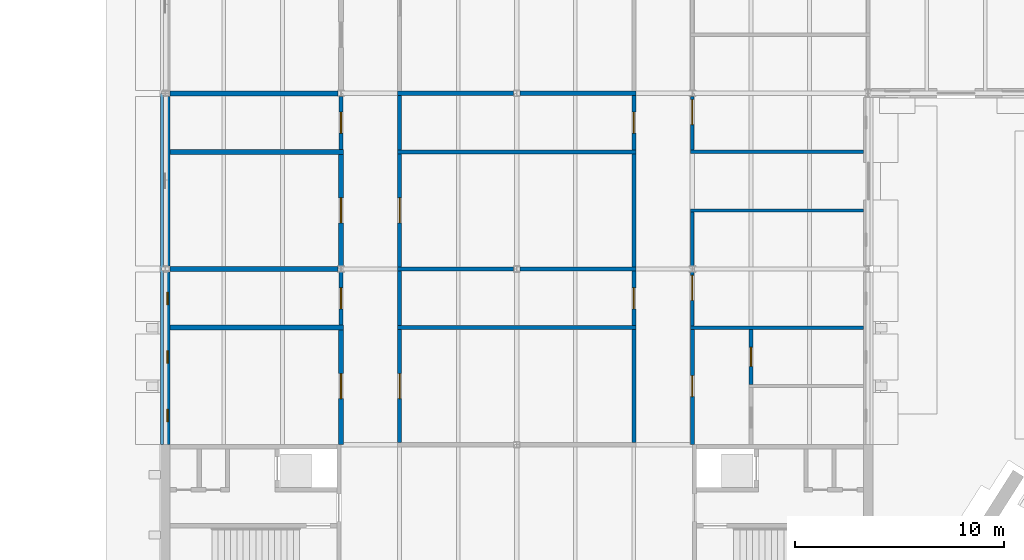
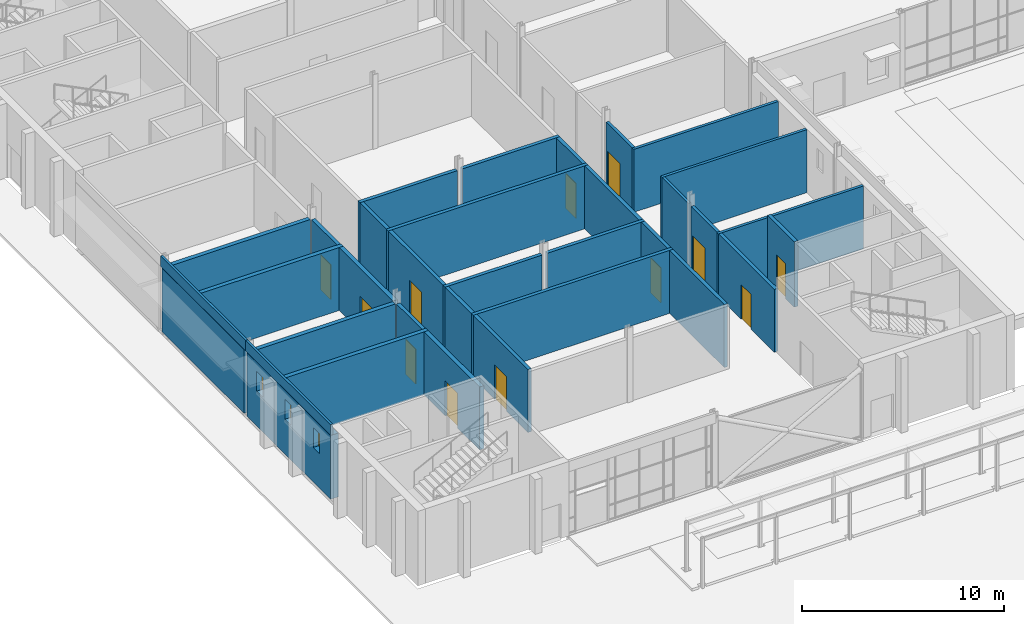
# One storey, part 84 of 116: 34 walls, 12 doors, 3 windows, 15 openings.
"""IFC4 building model written with IfcOpenShell, lengths in metres."""

import ifcopenshell
import ifcopenshell.guid

model = None  # the IFC model being written
_history = None  # IfcOwnerHistory: only IFC2X3 demands one
_inside = {}  # id of a spatial element -> (the spatial element, [elements in it])
_under = {}  # id of a project, library or spatial element -> (it, [spatial elements below it])
_declared = {}  # id of a project -> (the project, [libraries it declares])
_typed = {}  # id of a type object -> (the type object, [elements of that type])
_made_of = {}  # id of a material, layer set ... -> (it, [elements and type objects made of it])


def new_model(schema):
    """Start an empty IFC model of exactly this schema.

    Asked for "IFC4X3", IfcOpenShell would pick the latest addendum, in which some entities
    have other attributes; the version numbers below select the first issue.
    IFC2X3 requires an IfcOwnerHistory on every rooted entity: one is made here for all.
    """
    global model, _history
    if schema == "IFC4X3":
        model = ifcopenshell.file(schema_version=(4, 3, 0, 0))
    else:
        model = ifcopenshell.file(schema=schema)
    _inside.clear()
    _under.clear()
    _declared.clear()
    _typed.clear()
    _made_of.clear()
    _history = None
    if model.schema == "IFC2X3":
        org = make("IfcOrganization", Name="unknown")
        user = make(
            "IfcPersonAndOrganization",
            ThePerson=make("IfcPerson", FamilyName="unknown"),
            TheOrganization=org,
        )
        app = make(
            "IfcApplication",
            ApplicationDeveloper=org,
            Version="unknown",
            ApplicationFullName="unknown",
            ApplicationIdentifier="unknown",
        )
        _history = make(
            "IfcOwnerHistory",
            OwningUser=user,
            OwningApplication=app,
            ChangeAction="ADDED",
            CreationDate=0,
        )
    return model


def make(cls, **values):
    """One entity of the class cls with the attributes given. An attribute that is None is left unset."""
    return model.create_entity(
        cls, **{name: value for name, value in values.items() if value is not None}
    )


def rooted(cls, **values):
    """An entity with a GlobalId (a new one), such as an element, a storey or a relation."""
    return make(cls, GlobalId=ifcopenshell.guid.new(), OwnerHistory=_history, **values)


def si_unit(unit_type, name, prefix=None):
    """IfcSIUnit, for example si_unit("LENGTHUNIT", "METRE", prefix="MILLI")."""
    return make("IfcSIUnit", UnitType=unit_type, Prefix=prefix, Name=name)


def assignment(units):
    """IfcUnitAssignment: the units of a project."""
    return None if units is None else make("IfcUnitAssignment", Units=units)


def point(xyz):
    """IfcCartesianPoint."""
    return None if xyz is None else make("IfcCartesianPoint", Coordinates=xyz)


def direction(xyz):
    """IfcDirection."""
    return None if xyz is None else make("IfcDirection", DirectionRatios=xyz)


def frame(location, z_axis=None, x_axis=None):
    """IfcAxis2Placement3D, a coordinate frame: its origin and axes. An axis left out is left unset."""
    return make(
        "IfcAxis2Placement3D",
        Location=point(location),
        Axis=direction(z_axis),
        RefDirection=direction(x_axis),
    )


def frame_2d(location, x_axis=None):
    """IfcAxis2Placement2D, a coordinate frame in the plane: its origin and x axis."""
    return make(
        "IfcAxis2Placement2D", Location=point(location), RefDirection=direction(x_axis)
    )


def origin():
    """The frame at (0, 0, 0) with its axes left unset."""
    return frame((0.0, 0.0, 0.0))


def place(relative_to, where):
    """IfcLocalPlacement: puts the frame where relative to a parent placement (None: the world)."""
    return make(
        "IfcLocalPlacement", PlacementRelTo=relative_to, RelativePlacement=where
    )


def context(
    kind, dimensions, precision=None, world=None, true_north=None, identifier=None
):
    """IfcGeometricRepresentationContext, for example the 3D "Model" context."""
    return make(
        "IfcGeometricRepresentationContext",
        ContextIdentifier=identifier,
        ContextType=kind,
        CoordinateSpaceDimension=dimensions,
        Precision=precision,
        WorldCoordinateSystem=world,
        TrueNorth=true_north,
    )


def subcontext(parent, identifier, kind, view, scale=None):
    """IfcGeometricRepresentationSubContext, for example "Body" below "Model"."""
    return make(
        "IfcGeometricRepresentationSubContext",
        ContextIdentifier=identifier,
        ContextType=kind,
        ParentContext=parent,
        TargetScale=scale,
        TargetView=view,
    )


def project(units=None, contexts=None):
    """IfcProject with its units and contexts."""
    return rooted(
        "IfcProject",
        Name="project",
        RepresentationContexts=contexts,
        UnitsInContext=assignment(units),
    )


def spatial(cls, under=None, at=None, **own):
    """A site, building, storey or space (cls), placed at a placement, below another one or the project."""
    s = rooted(cls, ObjectPlacement=at, **own)
    if under is not None:
        _under.setdefault(under.id(), (under, []))[1].append(s)
    return s


def profile(cls, at=None, kind="AREA", **sizes):
    """A parametric profile (cls). Its sizes go by their IFC names, for example OverallWidth=200.0."""
    return make(cls, ProfileType=kind, Position=at, **sizes)


def rectangle(**sizes):
    """IfcRectangleProfileDef."""
    return profile("IfcRectangleProfileDef", **sizes)


def extrude(swept, where, along, depth):
    """IfcExtrudedAreaSolid: the profile swept, set in the frame where, extruded along a direction by depth."""
    return make(
        "IfcExtrudedAreaSolid",
        SweptArea=swept,
        Position=where,
        ExtrudedDirection=direction(along),
        Depth=depth,
    )


def shape(context_of_items, identifier, shape_type, items):
    """IfcShapeRepresentation: the items that make up one representation, for example the "Body"."""
    return make(
        "IfcShapeRepresentation",
        ContextOfItems=context_of_items,
        RepresentationIdentifier=identifier,
        RepresentationType=shape_type,
        Items=items,
    )


def material(Name=None, Category=None):
    """IfcMaterial."""
    return make("IfcMaterial", Name=Name, Category=Category)


def layer(
    of_material, thickness, ventilated=None, Name=None, Category=None, Priority=None
):
    """IfcMaterialLayer: one layer of a wall or slab, of a material (None: an air gap)."""
    return make(
        "IfcMaterialLayer",
        Material=of_material,
        LayerThickness=thickness,
        IsVentilated=ventilated,
        Name=Name,
        Category=Category,
        Priority=Priority,
    )


def layer_set(layers, Name=None):
    """IfcMaterialLayerSet."""
    return make("IfcMaterialLayerSet", MaterialLayers=layers, LayerSetName=Name)


def made_of(thing, what):
    """Note that an element or type object is made of a material, layer set ...; save() writes the relation."""
    if what is not None:
        _made_of.setdefault(what.id(), (what, []))[1].append(thing)
    return thing


def type_object(cls, material=None, **own):
    """A type object (cls), such as IfcWallType, which elements share."""
    return made_of(rooted(cls, **own), material)


def element(
    cls,
    number,
    at=None,
    inside=None,
    cuts=None,
    type_object=None,
    material=None,
    context=None,
    identifier="Body",
    shape_type=None,
    held_by="IfcProductDefinitionShape",
    body=None,
    shapes=None,
    **own,
):
    """One element of the class cls, such as IfcWall. Its Tag is "e" and its number.

    at: its placement. inside: the storey or other place that contains it. cuts: it is an
    opening in that element (IfcRelVoidsElement). A single representation is given by context,
    identifier, shape_type and body (its items); several are given by shapes. held_by: the class
    of the entity that holds the representations. save() writes the other relations.
    """
    e = rooted(cls, Tag="e%d" % number, ObjectPlacement=at, **own)
    if body is not None:
        shapes = [shape(context, identifier, shape_type, body)]
    if shapes is not None:
        e.Representation = make(held_by, Representations=shapes)
    if inside is not None:
        _inside.setdefault(inside.id(), (inside, []))[1].append(e)
    if cuts is not None:
        rooted(
            "IfcRelVoidsElement", RelatingBuildingElement=cuts, RelatedOpeningElement=e
        )
    if type_object is not None:
        _typed.setdefault(type_object.id(), (type_object, []))[1].append(e)
    return made_of(e, material)


def fill(opening, filler):
    """IfcRelFillsElement: the door or window that sits in an opening."""
    return rooted(
        "IfcRelFillsElement",
        RelatingOpeningElement=opening,
        RelatedBuildingElement=filler,
    )


def aggregate(whole, parts):
    """IfcRelAggregates: a whole, such as a stair, and the parts it consists of."""
    return rooted("IfcRelAggregates", RelatingObject=whole, RelatedObjects=parts)


def save(model, path):
    """Write the relations noted so far, then the file.

    IfcRelAggregates (storeys below a building ...), IfcRelContainedInSpatialStructure (elements
    in a storey), IfcRelDefinesByType, IfcRelAssociatesMaterial and IfcRelDeclares: one each for
    every whole, place, type object, material and project.
    """
    for whole, parts in _under.values():
        aggregate(whole, parts)
    for where, things in _inside.values():
        rooted(
            "IfcRelContainedInSpatialStructure",
            RelatedElements=things,
            RelatingStructure=where,
        )
    for kind, things in _typed.values():
        rooted("IfcRelDefinesByType", RelatedObjects=things, RelatingType=kind)
    for what, things in _made_of.values():
        rooted("IfcRelAssociatesMaterial", RelatedObjects=things, RelatingMaterial=what)
    for by, libraries in _declared.values():
        rooted("IfcRelDeclares", RelatingContext=by, RelatedDefinitions=libraries)
    model.write(path)


model = new_model("IFC4")

# Units and contexts
model_context = context("Model", 3, precision=1e-05, world=origin(), true_north=direction((0.0, 1.0)))
body_context = subcontext(model_context, "Body", "Model", "MODEL_VIEW")
ifc_project = project(units=[si_unit("LENGTHUNIT", "METRE"), si_unit("AREAUNIT", "SQUARE_METRE"), si_unit("VOLUMEUNIT", "CUBIC_METRE"), si_unit("PLANEANGLEUNIT", "RADIAN"), si_unit("MASSUNIT", "GRAM", prefix="KILO")], contexts=[model_context])

# Site, building, storey
site_placement = place(None, origin())
site = spatial("IfcSite", under=ifc_project, at=site_placement, CompositionType="ELEMENT")
building_placement = place(site_placement, origin())
building = spatial("IfcBuilding", under=site, at=building_placement, Name="Ardhachandra Cancer Care Centre", CompositionType="ELEMENT")
storey_placement = place(building_placement, origin())
storey = spatial("IfcBuildingStorey", under=building, at=storey_placement, Name="L00", CompositionType="ELEMENT", Elevation=0.0)

# Wall, opening, door
ifc_material_1 = material(Name="Gypsum board corridor partition on steel studs", Category="steel")
ifc_layer_1 = layer(ifc_material_1, 0.199951171875)
ifc_layer_set_1 = layer_set([ifc_layer_1], Name="Gypsum board corridor partition on steel studs")
wall_type_1 = type_object("IfcWallType", Name="CORRIDOR WALL 200", PredefinedType="PARTITIONING", material=ifc_layer_set_1)
wall_1_placement = place(storey_placement, frame((19.199951171875, 43.52001953125, 0.0), z_axis=(0.0, 0.0, 1.0), x_axis=(0.0, 1.0, 0.0)))
wall_1 = element("IfcWall", 1, at=wall_1_placement, inside=storey, type_object=wall_type_1, Name="R/wall/L00/v0019200_0043520", PredefinedType="PARTITIONING", context=body_context, shape_type="SweptSolid", body=[
    extrude(rectangle(XDim=2.530029296875, YDim=0.199951171875, at=frame_2d((1.26513671875, 0.0))), origin(), (0.0, 0.0, 1.0), 3.800048828125),
])
opening_1_placement = place(wall_1_placement, frame((0.780029296875, 0.0, 0.0)))
opening_1 = element("IfcOpeningElement", 2, at=opening_1_placement, cuts=wall_1, Name="Opening L00-0054", PredefinedType="OPENING", context=body_context, shape_type="SweptSolid", body=[
    extrude(rectangle(XDim=1.0, YDim=2.10009765625, at=frame_2d((0.5, 1.050048828125))), frame((0.0, 0.10986328125, 0.0), z_axis=(0.0, -1.0, 0.0), x_axis=(1.0, 0.0, 0.0)), (0.0, 0.0, 1.0), 0.219970703125),
])
ifc_material_2 = material(Name="Timber fire door with smoke seals", Category="wood")
door_type_1 = type_object("IfcDoorType", Name="FIRE DOOR SINGLE 1000x2100 FD30S", OperationType="NOTDEFINED", PredefinedType="DOOR", material=ifc_material_2)
door_1_placement = place(opening_1_placement, origin())
door_1 = element("IfcDoor", 3, at=door_1_placement, inside=storey, type_object=door_type_1, Name="Door L00-0054", OperationType="SINGLE_SWING_RIGHT", OverallHeight=2.10009765625, OverallWidth=1.0, PredefinedType="DOOR", context=body_context, shape_type="SweptSolid", body=[
    extrude(rectangle(XDim=1.0, YDim=2.10009765625, at=frame_2d((0.5, 1.050048828125))), frame((0.0, 0.02490234375, 0.0), z_axis=(0.0, -1.0, 0.0), x_axis=(1.0, 0.0, 0.0)), (0.0, 0.0, 1.0), 0.050048828125),
])
fill(opening_1, door_1)

wall_2_placement = place(storey_placement, frame((19.199951171875, 51.919921875, 0.0), z_axis=(0.0, 0.0, 1.0), x_axis=(0.0, 1.0, 0.0)))
wall_2 = element("IfcWall", 4, at=wall_2_placement, inside=storey, type_object=wall_type_1, Name="R/wall/L00/v0019200_0051920", PredefinedType="PARTITIONING", context=body_context, shape_type="SweptSolid", body=[
    extrude(rectangle(XDim=2.530029296875, YDim=0.199951171875, at=frame_2d((1.26513671875, 0.0))), origin(), (0.0, 0.0, 1.0), 3.800048828125),
])
opening_2_placement = place(wall_2_placement, frame((0.780029296875, 0.0, 0.0)))
opening_2 = element("IfcOpeningElement", 5, at=opening_2_placement, cuts=wall_2, Name="Opening L00-0056", PredefinedType="OPENING", context=body_context, shape_type="SweptSolid", body=[
    extrude(rectangle(XDim=1.0, YDim=2.10009765625, at=frame_2d((0.5, 1.050048828125))), frame((0.0, 0.10986328125, 0.0), z_axis=(0.0, -1.0, 0.0), x_axis=(1.0, 0.0, 0.0)), (0.0, 0.0, 1.0), 0.219970703125),
])
door_2_placement = place(opening_2_placement, origin())
door_2 = element("IfcDoor", 6, at=door_2_placement, inside=storey, type_object=door_type_1, Name="Door L00-0056", OperationType="SINGLE_SWING_LEFT", OverallHeight=2.10009765625, OverallWidth=1.0, PredefinedType="DOOR", context=body_context, shape_type="SweptSolid", body=[
    extrude(rectangle(XDim=1.0, YDim=2.10009765625, at=frame_2d((0.5, 1.050048828125))), frame((0.0, 0.02490234375, 0.0), z_axis=(0.0, -1.0, 0.0), x_axis=(1.0, 0.0, 0.0)), (0.0, 0.0, 1.0), 0.050048828125),
])
fill(opening_2, door_2)

# Walls
for number, where, z_axis, x_axis, name in (
    (7, (22.0, 43.5, 0.0), (0.0, 0.0, 1.0), (0.0, 1.0, 0.0), "R/wall/L00/v0022000_0043500"),
    (8, (22.0, 51.89990234375, 0.0), (0.0, 0.0, 1.0), (0.0, 1.0, 0.0), "R/wall/L00/v0022000_0051900"),
):
    element("IfcWall", number, at=place(storey_placement, frame(where, z_axis=z_axis, x_axis=x_axis)), inside=storey, type_object=wall_type_1, Name=name, PredefinedType="PARTITIONING", context=body_context, shape_type="SweptSolid", body=[
        extrude(rectangle(XDim=2.60009765625, YDim=0.199951171875, at=frame_2d((1.300048828125, 0.0))), origin(), (0.0, 0.0, 1.0), 3.800048828125),
    ])

# Wall, opening, door
wall_3_placement = place(storey_placement, frame((33.199951171875, 43.5, 0.0), z_axis=(0.0, 0.0, 1.0), x_axis=(0.0, 1.0, 0.0)))
wall_3 = element("IfcWall", 9, at=wall_3_placement, inside=storey, type_object=wall_type_1, Name="R/wall/L00/v0033200_0043500", PredefinedType="PARTITIONING", context=body_context, shape_type="SweptSolid", body=[
    extrude(rectangle(XDim=2.60009765625, YDim=0.199951171875, at=frame_2d((1.300048828125, 0.0))), origin(), (0.0, 0.0, 1.0), 3.800048828125),
])
opening_3_placement = place(wall_3_placement, frame((0.800048828125, 0.0, 0.0)))
opening_3 = element("IfcOpeningElement", 10, at=opening_3_placement, cuts=wall_3, Name="Opening L00-0063", PredefinedType="OPENING", context=body_context, shape_type="SweptSolid", body=[
    extrude(rectangle(XDim=1.0, YDim=2.10009765625, at=frame_2d((0.5, 1.050048828125))), frame((0.0, 0.10986328125, 0.0), z_axis=(0.0, -1.0, 0.0), x_axis=(1.0, 0.0, 0.0)), (0.0, 0.0, 1.0), 0.219970703125),
])
door_3_placement = place(opening_3_placement, origin())
door_3 = element("IfcDoor", 11, at=door_3_placement, inside=storey, type_object=door_type_1, Name="Door L00-0063", OperationType="SINGLE_SWING_RIGHT", OverallHeight=2.10009765625, OverallWidth=1.0, PredefinedType="DOOR", context=body_context, shape_type="SweptSolid", body=[
    extrude(rectangle(XDim=1.0, YDim=2.10009765625, at=frame_2d((0.5, 1.050048828125))), frame((0.0, 0.02490234375, 0.0), z_axis=(0.0, -1.0, 0.0), x_axis=(1.0, 0.0, 0.0)), (0.0, 0.0, 1.0), 0.050048828125),
])
fill(opening_3, door_3)

wall_4_placement = place(storey_placement, frame((33.199951171875, 51.89990234375, 0.0), z_axis=(0.0, 0.0, 1.0), x_axis=(0.0, 1.0, 0.0)))
wall_4 = element("IfcWall", 12, at=wall_4_placement, inside=storey, type_object=wall_type_1, Name="R/wall/L00/v0033200_0051900", PredefinedType="PARTITIONING", context=body_context, shape_type="SweptSolid", body=[
    extrude(rectangle(XDim=2.60009765625, YDim=0.199951171875, at=frame_2d((1.300048828125, 0.0))), origin(), (0.0, 0.0, 1.0), 3.800048828125),
])
opening_4_placement = place(wall_4_placement, frame((0.800048828125, 0.0, 0.0)))
opening_4 = element("IfcOpeningElement", 13, at=opening_4_placement, cuts=wall_4, Name="Opening L00-0064", PredefinedType="OPENING", context=body_context, shape_type="SweptSolid", body=[
    extrude(rectangle(XDim=1.0, YDim=2.10009765625, at=frame_2d((0.5, 1.050048828125))), frame((0.0, 0.10986328125, 0.0), z_axis=(0.0, -1.0, 0.0), x_axis=(1.0, 0.0, 0.0)), (0.0, 0.0, 1.0), 0.219970703125),
])
door_4_placement = place(opening_4_placement, origin())
door_4 = element("IfcDoor", 14, at=door_4_placement, inside=storey, type_object=door_type_1, Name="Door L00-0064", OperationType="SINGLE_SWING_RIGHT", OverallHeight=2.10009765625, OverallWidth=1.0, PredefinedType="DOOR", context=body_context, shape_type="SweptSolid", body=[
    extrude(rectangle(XDim=1.0, YDim=2.10009765625, at=frame_2d((0.5, 1.050048828125))), frame((0.0, 0.02490234375, 0.0), z_axis=(0.0, -1.0, 0.0), x_axis=(1.0, 0.0, 0.0)), (0.0, 0.0, 1.0), 0.050048828125),
])
fill(opening_4, door_4)

wall_5_placement = place(storey_placement, frame((36.0, 37.800048828125, 0.0), z_axis=(0.0, 0.0, 1.0), x_axis=(0.0, 1.0, 0.0)))
wall_5 = element("IfcWall", 15, at=wall_5_placement, inside=storey, type_object=wall_type_1, Name="R/wall/L00/v0036000_0037800", PredefinedType="PARTITIONING", context=body_context, shape_type="SweptSolid", body=[
    extrude(rectangle(XDim=5.52001953125, YDim=0.199951171875, at=frame_2d((2.760009765625, 0.0))), origin(), (0.0, 0.0, 1.0), 3.800048828125),
])
opening_5_placement = place(wall_5_placement, frame((2.300048828125, 0.0, 0.0)))
opening_5 = element("IfcOpeningElement", 16, at=opening_5_placement, cuts=wall_5, Name="Opening L00-0065", PredefinedType="OPENING", context=body_context, shape_type="SweptSolid", body=[
    extrude(rectangle(XDim=1.0, YDim=2.10009765625, at=frame_2d((0.5, 1.050048828125))), frame((0.0, 0.10986328125, 0.0), z_axis=(0.0, -1.0, 0.0), x_axis=(1.0, 0.0, 0.0)), (0.0, 0.0, 1.0), 0.219970703125),
])
door_5_placement = place(opening_5_placement, origin())
door_5 = element("IfcDoor", 17, at=door_5_placement, inside=storey, type_object=door_type_1, Name="Door L00-0065", OperationType="SINGLE_SWING_LEFT", OverallHeight=2.10009765625, OverallWidth=1.0, PredefinedType="DOOR", context=body_context, shape_type="SweptSolid", body=[
    extrude(rectangle(XDim=1.0, YDim=2.10009765625, at=frame_2d((0.5, 1.050048828125))), frame((0.0, 0.02490234375, 0.0), z_axis=(0.0, -1.0, 0.0), x_axis=(1.0, 0.0, 0.0)), (0.0, 0.0, 1.0), 0.050048828125),
])
fill(opening_5, door_5)

wall_6_placement = place(storey_placement, frame((38.800048828125, 40.675048828125, 0.0), z_axis=(0.0, 0.0, 1.0), x_axis=(0.0, 1.0, 0.0)))
wall_6 = element("IfcWall", 18, at=wall_6_placement, inside=storey, type_object=wall_type_1, Name="R/wall/L00/v0038800_0040675", PredefinedType="PARTITIONING", context=body_context, shape_type="SweptSolid", body=[
    extrude(rectangle(XDim=2.64501953125, YDim=0.199951171875, at=frame_2d((1.322509765625, 0.0))), origin(), (0.0, 0.0, 1.0), 3.949951171875),
])
opening_6_placement = place(wall_6_placement, frame((0.875, 0.0, 0.0)))
opening_6 = element("IfcOpeningElement", 19, at=opening_6_placement, cuts=wall_6, Name="Opening L00-0072", PredefinedType="OPENING", context=body_context, shape_type="SweptSolid", body=[
    extrude(rectangle(XDim=0.89990234375, YDim=2.10009765625, at=frame_2d((0.449951171875, 1.050048828125))), frame((0.0, 0.10986328125, 0.0), z_axis=(0.0, -1.0, 0.0), x_axis=(1.0, 0.0, 0.0)), (0.0, 0.0, 1.0), 0.219970703125),
])
ifc_material_3 = material(Name="Timber fire door with smoke seals", Category="wood")
door_type_2 = type_object("IfcDoorType", Name="FIRE DOOR WC 900x2100 FD30S", OperationType="NOTDEFINED", PredefinedType="DOOR", material=ifc_material_3)
door_6_placement = place(opening_6_placement, origin())
door_6 = element("IfcDoor", 20, at=door_6_placement, inside=storey, type_object=door_type_2, Name="Door L00-0072", OperationType="SINGLE_SWING_LEFT", OverallHeight=2.10009765625, OverallWidth=0.89990234375, PredefinedType="DOOR", context=body_context, shape_type="SweptSolid", body=[
    extrude(rectangle(XDim=0.89990234375, YDim=2.10009765625, at=frame_2d((0.449951171875, 1.050048828125))), frame((0.0, 0.02490234375, 0.0), z_axis=(0.0, -1.0, 0.0), x_axis=(1.0, 0.0, 0.0)), (0.0, 0.0, 1.0), 0.050048828125),
])
fill(opening_6, door_6)

# Walls
ifc_material_4 = material(Name="Precast Concrete M30 fascia panel with brick slip facing", Category="masonry")
ifc_layer_2 = layer(ifc_material_4, 0.1298828125)
ifc_layer_set_2 = layer_set([ifc_layer_2], Name="Precast Concrete M30 fascia panel with brick slip facing")
wall_type_2 = type_object("IfcWallType", Name="Edge beam fascia 130", PredefinedType="SOLIDWALL", material=ifc_layer_set_2)
wall_7_placement = place(storey_placement, frame((10.639892578125, 37.800048828125, 3.8701171875), z_axis=(0.0, 0.0, 1.0), x_axis=(0.0, 1.0, 0.0)))
element("IfcWall", 21, at=wall_7_placement, inside=storey, type_object=wall_type_2, Name="E/fascia/L00/w/0010800_0037800", PredefinedType="SOLIDWALL", context=body_context, shape_type="SweptSolid", body=[
    extrude(rectangle(XDim=8.39990234375, YDim=0.1298828125, at=frame_2d((4.199951171875, 0.0))), origin(), (0.0, 0.0, 1.0), 0.6298828125),
])
wall_8_placement = place(storey_placement, frame((10.639892578125, 46.199951171875, 3.8701171875), z_axis=(0.0, 0.0, 1.0), x_axis=(0.0, 1.0, 0.0)))
element("IfcWall", 22, at=wall_8_placement, inside=storey, type_object=wall_type_2, Name="E/fascia/L00/w/0010800_0046200", PredefinedType="SOLIDWALL", context=body_context, shape_type="SweptSolid", body=[
    extrude(rectangle(XDim=8.400146484375, YDim=0.1298828125, at=frame_2d((4.2001953125, 0.0))), origin(), (0.0, 0.0, 1.0), 0.6298828125),
])
ifc_material_5 = material(Name="Lead-lined gypsum board partition (1.5 mm lead)")
ifc_layer_3 = layer(ifc_material_5, 0.159912109375)
ifc_layer_set_3 = layer_set([ifc_layer_3], Name="Lead-lined gypsum board partition (1.5 mm lead)")
wall_type_3 = type_object("IfcWallType", Name="LEAD-LINED PARTITION 160", PredefinedType="PARTITIONING", material=ifc_layer_set_3)
wall_9_placement = place(storey_placement, frame((35.89990234375, 43.39990234375, 0.0), z_axis=(0.0, 0.0, 1.0), x_axis=(1.0, 0.0, 0.0)))
element("IfcWall", 23, at=wall_9_placement, inside=storey, type_object=wall_type_3, Name="R/wall/L00/h0043400_0035900", PredefinedType="PARTITIONING", context=body_context, shape_type="SweptSolid", body=[
    extrude(rectangle(XDim=8.275146484375, YDim=0.159912109375, at=frame_2d((4.1376953125, 0.0))), origin(), (0.0, 0.0, 1.0), 3.800048828125),
])
for number, where, z_axis, x_axis, name in (
    (24, (35.919921875, 49.0, 0.0), (0.0, 0.0, 1.0), (1.0, 0.0, 0.0), "R/wall/L00/h0049000_0035920"),
    (25, (35.919921875, 51.800048828125, 0.0), (0.0, 0.0, 1.0), (1.0, 0.0, 0.0), "R/wall/L00/h0051800_0035920"),
):
    element("IfcWall", number, at=place(storey_placement, frame(where, z_axis=z_axis, x_axis=x_axis)), inside=storey, type_object=wall_type_3, Name=name, PredefinedType="PARTITIONING", context=body_context, shape_type="SweptSolid", body=[
        extrude(rectangle(XDim=8.255126953125, YDim=0.159912109375, at=frame_2d((4.12744140625, 0.0))), origin(), (0.0, 0.0, 1.0), 3.800048828125),
    ])

# Wall, opening, door
wall_10_placement = place(storey_placement, frame((36.0, 43.47998046875, 0.0), z_axis=(0.0, 0.0, 1.0), x_axis=(0.0, 1.0, 0.0)))
wall_10 = element("IfcWall", 26, at=wall_10_placement, inside=storey, type_object=wall_type_3, Name="R/wall/L00/v0036000_0043480", PredefinedType="PARTITIONING", context=body_context, shape_type="SweptSolid", body=[
    extrude(rectangle(XDim=2.570068359375, YDim=0.159912109375, at=frame_2d((1.28515625, 0.0))), origin(), (0.0, 0.0, 1.0), 3.800048828125),
])
opening_7_placement = place(wall_10_placement, frame((1.219970703125, 0.0, 0.0)))
opening_7 = element("IfcOpeningElement", 27, at=opening_7_placement, cuts=wall_10, Name="Opening L00-0066", PredefinedType="OPENING", context=body_context, shape_type="SweptSolid", body=[
    extrude(rectangle(XDim=1.199951171875, YDim=2.10009765625, at=frame_2d((0.60009765625, 1.050048828125))), frame((0.0, 0.08984375, 0.0), z_axis=(0.0, -1.0, 0.0), x_axis=(1.0, 0.0, 0.0)), (0.0, 0.0, 1.0), 0.179931640625),
])
ifc_material_6 = material(Name="Lead-lined timber door", Category="wood")
door_type_3 = type_object("IfcDoorType", Name="LEAD-LINED DOOR 1200x2100 FD60", OperationType="NOTDEFINED", PredefinedType="DOOR", material=ifc_material_6)
door_7_placement = place(opening_7_placement, origin())
door_7 = element("IfcDoor", 28, at=door_7_placement, inside=storey, type_object=door_type_3, Name="Door L00-0066", OperationType="SINGLE_SWING_LEFT", OverallHeight=2.10009765625, OverallWidth=1.199951171875, PredefinedType="DOOR", context=body_context, shape_type="SweptSolid", body=[
    extrude(rectangle(XDim=1.199951171875, YDim=2.10009765625, at=frame_2d((0.60009765625, 1.050048828125))), frame((0.0, 0.02490234375, 0.0), z_axis=(0.0, -1.0, 0.0), x_axis=(1.0, 0.0, 0.0)), (0.0, 0.0, 1.0), 0.050048828125),
])
fill(opening_7, door_7)

# Wall
wall_11_placement = place(storey_placement, frame((36.0, 46.35009765625, 0.0), z_axis=(0.0, 0.0, 1.0), x_axis=(0.0, 1.0, 0.0)))
element("IfcWall", 29, at=wall_11_placement, inside=storey, type_object=wall_type_3, Name="R/wall/L00/v0036000_0046350", PredefinedType="PARTITIONING", context=body_context, shape_type="SweptSolid", body=[
    extrude(rectangle(XDim=2.56982421875, YDim=0.159912109375, at=frame_2d((1.284912109375, 0.0))), origin(), (0.0, 0.0, 1.0), 3.800048828125),
])

# Wall, opening, door
wall_12_placement = place(storey_placement, frame((36.0, 51.8798828125, 0.0), z_axis=(0.0, 0.0, 1.0), x_axis=(0.0, 1.0, 0.0)))
wall_12 = element("IfcWall", 30, at=wall_12_placement, inside=storey, type_object=wall_type_3, Name="R/wall/L00/v0036000_0051880", PredefinedType="PARTITIONING", context=body_context, shape_type="SweptSolid", body=[
    extrude(rectangle(XDim=2.570068359375, YDim=0.159912109375, at=frame_2d((1.28515625, 0.0))), origin(), (0.0, 0.0, 1.0), 3.800048828125),
])
opening_8_placement = place(wall_12_placement, frame((1.219970703125, 0.0, 0.0)))
opening_8 = element("IfcOpeningElement", 31, at=opening_8_placement, cuts=wall_12, Name="Opening L00-0067", PredefinedType="OPENING", context=body_context, shape_type="SweptSolid", body=[
    extrude(rectangle(XDim=1.199951171875, YDim=2.10009765625, at=frame_2d((0.60009765625, 1.050048828125))), frame((0.0, 0.08984375, 0.0), z_axis=(0.0, -1.0, 0.0), x_axis=(1.0, 0.0, 0.0)), (0.0, 0.0, 1.0), 0.179931640625),
])
door_8_placement = place(opening_8_placement, origin())
door_8 = element("IfcDoor", 32, at=door_8_placement, inside=storey, type_object=door_type_3, Name="Door L00-0067", OperationType="SINGLE_SWING_LEFT", OverallHeight=2.10009765625, OverallWidth=1.199951171875, PredefinedType="DOOR", context=body_context, shape_type="SweptSolid", body=[
    extrude(rectangle(XDim=1.199951171875, YDim=2.10009765625, at=frame_2d((0.60009765625, 1.050048828125))), frame((0.0, 0.02490234375, 0.0), z_axis=(0.0, -1.0, 0.0), x_axis=(1.0, 0.0, 0.0)), (0.0, 0.0, 1.0), 0.050048828125),
])
fill(opening_8, door_8)

# Walls
ifc_material_7 = material(Name="Lead-lined gypsum board partition")
ifc_layer_4 = layer(ifc_material_7, 0.199951171875)
ifc_layer_set_4 = layer_set([ifc_layer_4], Name="Lead-lined gypsum board partition")
wall_type_4 = type_object("IfcWallType", Name="LEAD-LINED PARTITION 200", PredefinedType="PARTITIONING", material=ifc_layer_set_4)
wall_13_placement = place(storey_placement, frame((21.89990234375, 43.39990234375, 0.0), z_axis=(0.0, 0.0, 1.0), x_axis=(1.0, 0.0, 0.0)))
element("IfcWall", 33, at=wall_13_placement, inside=storey, type_object=wall_type_4, Name="R/wall/L00/h0043400_0021900", PredefinedType="PARTITIONING", context=body_context, shape_type="SweptSolid", body=[
    extrude(rectangle(XDim=11.400146484375, YDim=0.199951171875, at=frame_2d((5.7001953125, 0.0))), origin(), (0.0, 0.0, 1.0), 3.800048828125),
])
for number, where, z_axis, x_axis, name in (
    (34, (21.89990234375, 46.199951171875, 0.0), (0.0, 0.0, 1.0), (1.0, 0.0, 0.0), "R/wall/L00/h0046200_0021900"),
    (35, (27.75, 46.199951171875, 0.0), (0.0, 0.0, 1.0), (1.0, 0.0, 0.0), "R/wall/L00/h0046200_0027750"),
):
    element("IfcWall", number, at=place(storey_placement, frame(where, z_axis=z_axis, x_axis=x_axis)), inside=storey, type_object=wall_type_4, Name=name, PredefinedType="PARTITIONING", context=body_context, shape_type="SweptSolid", body=[
        extrude(rectangle(XDim=5.550048828125, YDim=0.199951171875, at=frame_2d((2.77490234375, 0.0))), origin(), (0.0, 0.0, 1.0), 3.800048828125),
    ])
wall_14_placement = place(storey_placement, frame((21.89990234375, 51.800048828125, 0.0), z_axis=(0.0, 0.0, 1.0), x_axis=(1.0, 0.0, 0.0)))
element("IfcWall", 36, at=wall_14_placement, inside=storey, type_object=wall_type_4, Name="R/wall/L00/h0051800_0021900", PredefinedType="PARTITIONING", context=body_context, shape_type="SweptSolid", body=[
    extrude(rectangle(XDim=11.400146484375, YDim=0.199951171875, at=frame_2d((5.7001953125, 0.0))), origin(), (0.0, 0.0, 1.0), 3.800048828125),
])

# Wall, opening, door
wall_15_placement = place(storey_placement, frame((22.0, 37.89990234375, 0.0), z_axis=(0.0, 0.0, 1.0), x_axis=(0.0, 1.0, 0.0)))
wall_15 = element("IfcWall", 37, at=wall_15_placement, inside=storey, type_object=wall_type_4, Name="R/wall/L00/v0022000_0037900", PredefinedType="PARTITIONING", context=body_context, shape_type="SweptSolid", body=[
    extrude(rectangle(XDim=5.400146484375, YDim=0.199951171875, at=frame_2d((2.7001953125, 0.0))), origin(), (0.0, 0.0, 1.0), 3.800048828125),
])
opening_9_placement = place(wall_15_placement, frame((2.10009765625, 0.0, 0.0)))
opening_9 = element("IfcOpeningElement", 38, at=opening_9_placement, cuts=wall_15, Name="Opening L00-0059", PredefinedType="OPENING", context=body_context, shape_type="SweptSolid", body=[
    extrude(rectangle(XDim=1.199951171875, YDim=2.10009765625, at=frame_2d((0.60009765625, 1.050048828125))), frame((0.0, 0.10986328125, 0.0), z_axis=(0.0, -1.0, 0.0), x_axis=(1.0, 0.0, 0.0)), (0.0, 0.0, 1.0), 0.219970703125),
])
door_9_placement = place(opening_9_placement, origin())
door_9 = element("IfcDoor", 39, at=door_9_placement, inside=storey, type_object=door_type_3, Name="Door L00-0059", OperationType="SINGLE_SWING_LEFT", OverallHeight=2.10009765625, OverallWidth=1.199951171875, PredefinedType="DOOR", context=body_context, shape_type="SweptSolid", body=[
    extrude(rectangle(XDim=1.199951171875, YDim=2.10009765625, at=frame_2d((0.60009765625, 1.050048828125))), frame((0.0, 0.02490234375, 0.0), z_axis=(0.0, -1.0, 0.0), x_axis=(1.0, 0.0, 0.0)), (0.0, 0.0, 1.0), 0.050048828125),
])
fill(opening_9, door_9)

wall_16_placement = place(storey_placement, frame((22.0, 46.300048828125, 0.0), z_axis=(0.0, 0.0, 1.0), x_axis=(0.0, 1.0, 0.0)))
wall_16 = element("IfcWall", 40, at=wall_16_placement, inside=storey, type_object=wall_type_4, Name="R/wall/L00/v0022000_0046300", PredefinedType="PARTITIONING", context=body_context, shape_type="SweptSolid", body=[
    extrude(rectangle(XDim=5.39990234375, YDim=0.199951171875, at=frame_2d((2.699951171875, 0.0))), origin(), (0.0, 0.0, 1.0), 3.800048828125),
])
opening_10_placement = place(wall_16_placement, frame((2.10009765625, 0.0, 0.0)))
opening_10 = element("IfcOpeningElement", 41, at=opening_10_placement, cuts=wall_16, Name="Opening L00-0060", PredefinedType="OPENING", context=body_context, shape_type="SweptSolid", body=[
    extrude(rectangle(XDim=1.199951171875, YDim=2.10009765625, at=frame_2d((0.60009765625, 1.050048828125))), frame((0.0, 0.10986328125, 0.0), z_axis=(0.0, -1.0, 0.0), x_axis=(1.0, 0.0, 0.0)), (0.0, 0.0, 1.0), 0.219970703125),
])
door_10_placement = place(opening_10_placement, origin())
door_10 = element("IfcDoor", 42, at=door_10_placement, inside=storey, type_object=door_type_3, Name="Door L00-0060", OperationType="SINGLE_SWING_LEFT", OverallHeight=2.10009765625, OverallWidth=1.199951171875, PredefinedType="DOOR", context=body_context, shape_type="SweptSolid", body=[
    extrude(rectangle(XDim=1.199951171875, YDim=2.10009765625, at=frame_2d((0.60009765625, 1.050048828125))), frame((0.0, 0.02490234375, 0.0), z_axis=(0.0, -1.0, 0.0), x_axis=(1.0, 0.0, 0.0)), (0.0, 0.0, 1.0), 0.050048828125),
])
fill(opening_10, door_10)

# Walls
wall_17_placement = place(storey_placement, frame((33.199951171875, 37.89990234375, 0.0), z_axis=(0.0, 0.0, 1.0), x_axis=(0.0, 1.0, 0.0)))
element("IfcWall", 43, at=wall_17_placement, inside=storey, type_object=wall_type_4, Name="R/wall/L00/v0033200_0037900", PredefinedType="PARTITIONING", context=body_context, shape_type="SweptSolid", body=[
    extrude(rectangle(XDim=5.400146484375, YDim=0.199951171875, at=frame_2d((2.7001953125, 0.0))), origin(), (0.0, 0.0, 1.0), 3.800048828125),
])
wall_18_placement = place(storey_placement, frame((33.199951171875, 46.300048828125, 0.0), z_axis=(0.0, 0.0, 1.0), x_axis=(0.0, 1.0, 0.0)))
element("IfcWall", 44, at=wall_18_placement, inside=storey, type_object=wall_type_4, Name="R/wall/L00/v0033200_0046300", PredefinedType="PARTITIONING", context=body_context, shape_type="SweptSolid", body=[
    extrude(rectangle(XDim=5.39990234375, YDim=0.199951171875, at=frame_2d((2.699951171875, 0.0))), origin(), (0.0, 0.0, 1.0), 3.800048828125),
])
ifc_material_8 = material(Name="Brick masonry", Category="masonry")
ifc_layer_5 = layer(ifc_material_8, 0.199951171875)
ifc_layer_set_5 = layer_set([ifc_layer_5], Name="Brick masonry")
wall_type_5 = type_object("IfcWallType", Name="PLANT ROOM WALL 200", PredefinedType="SOLIDWALL", material=ifc_layer_set_5)
for number, where, z_axis, x_axis, name in (
    (45, (21.89990234375, 54.60009765625, 0.0), (0.0, 0.0, 1.0), (1.0, 0.0, 0.0), "R/wall/L00/h0054600_0021900"),
    (46, (27.75, 54.60009765625, 0.0), (0.0, 0.0, 1.0), (1.0, 0.0, 0.0), "R/wall/L00/h0054600_0027750"),
):
    element("IfcWall", number, at=place(storey_placement, frame(where, z_axis=z_axis, x_axis=x_axis)), inside=storey, type_object=wall_type_5, Name=name, PredefinedType="SOLIDWALL", context=body_context, shape_type="SweptSolid", body=[
        extrude(rectangle(XDim=5.550048828125, YDim=0.199951171875, at=frame_2d((2.77490234375, 0.0))), origin(), (0.0, 0.0, 1.0), 3.800048828125),
    ])
ifc_material_9 = material(Name="Concrete block masonry with copper-foil RF shield", Category="masonry")
ifc_layer_6 = layer(ifc_material_9, 0.239990234375)
ifc_layer_set_6 = layer_set([ifc_layer_6], Name="Concrete block masonry with copper-foil RF shield")
wall_type_6 = type_object("IfcWallType", Name="RF-SHIELDED WALL 240", PredefinedType="SOLIDWALL", material=ifc_layer_set_6)
wall_19_placement = place(storey_placement, frame((11.02490234375, 43.39990234375, 0.0), z_axis=(0.0, 0.0, 1.0), x_axis=(1.0, 0.0, 0.0)))
element("IfcWall", 47, at=wall_19_placement, inside=storey, type_object=wall_type_6, Name="R/wall/L00/h0043400_0011025", PredefinedType="SOLIDWALL", context=body_context, shape_type="SweptSolid", body=[
    extrude(rectangle(XDim=8.295166015625, YDim=0.239990234375, at=frame_2d((4.1474609375, 0.0))), origin(), (0.0, 0.0, 1.0), 3.800048828125),
])
wall_20_placement = place(storey_placement, frame((11.02490234375, 46.199951171875, 0.0), z_axis=(0.0, 0.0, 1.0), x_axis=(1.0, 0.0, 0.0)))
element("IfcWall", 48, at=wall_20_placement, inside=storey, type_object=wall_type_6, Name="R/wall/L00/h0046200_0011025", PredefinedType="SOLIDWALL", context=body_context, shape_type="SweptSolid", body=[
    extrude(rectangle(XDim=8.025146484375, YDim=0.239990234375, at=frame_2d((4.0126953125, 0.0))), origin(), (0.0, 0.0, 1.0), 3.800048828125),
])
wall_21_placement = place(storey_placement, frame((11.02490234375, 51.800048828125, 0.0), z_axis=(0.0, 0.0, 1.0), x_axis=(1.0, 0.0, 0.0)))
element("IfcWall", 49, at=wall_21_placement, inside=storey, type_object=wall_type_6, Name="R/wall/L00/h0051800_0011025", PredefinedType="SOLIDWALL", context=body_context, shape_type="SweptSolid", body=[
    extrude(rectangle(XDim=8.295166015625, YDim=0.239990234375, at=frame_2d((4.1474609375, 0.0))), origin(), (0.0, 0.0, 1.0), 3.800048828125),
])
wall_22_placement = place(storey_placement, frame((11.02490234375, 54.60009765625, 0.0), z_axis=(0.0, 0.0, 1.0), x_axis=(1.0, 0.0, 0.0)))
element("IfcWall", 50, at=wall_22_placement, inside=storey, type_object=wall_type_6, Name="R/wall/L00/h0054600_0011025", PredefinedType="SOLIDWALL", context=body_context, shape_type="SweptSolid", body=[
    extrude(rectangle(XDim=8.025146484375, YDim=0.239990234375, at=frame_2d((4.0126953125, 0.0))), origin(), (0.0, 0.0, 1.0), 3.800048828125),
])

# Wall, opening, door
wall_23_placement = place(storey_placement, frame((19.199951171875, 37.800048828125, 0.0), z_axis=(0.0, 0.0, 1.0), x_axis=(0.0, 1.0, 0.0)))
wall_23 = element("IfcWall", 51, at=wall_23_placement, inside=storey, type_object=wall_type_6, Name="R/wall/L00/v0019200_0037800", PredefinedType="SOLIDWALL", context=body_context, shape_type="SweptSolid", body=[
    extrude(rectangle(XDim=5.47998046875, YDim=0.239990234375, at=frame_2d((2.739990234375, 0.0))), origin(), (0.0, 0.0, 1.0), 3.800048828125),
])
opening_11_placement = place(wall_23_placement, frame((2.199951171875, 0.0, 0.0)))
opening_11 = element("IfcOpeningElement", 52, at=opening_11_placement, cuts=wall_23, Name="Opening L00-0053", PredefinedType="OPENING", context=body_context, shape_type="SweptSolid", body=[
    extrude(rectangle(XDim=1.199951171875, YDim=2.10009765625, at=frame_2d((0.60009765625, 1.050048828125))), frame((0.0, 0.1298828125, 0.0), z_axis=(0.0, -1.0, 0.0), x_axis=(1.0, 0.0, 0.0)), (0.0, 0.0, 1.0), 0.260009765625),
])
door_11_placement = place(opening_11_placement, origin())
door_11 = element("IfcDoor", 53, at=door_11_placement, inside=storey, type_object=door_type_3, Name="Door L00-0053", OperationType="SINGLE_SWING_RIGHT", OverallHeight=2.10009765625, OverallWidth=1.199951171875, PredefinedType="DOOR", context=body_context, shape_type="SweptSolid", body=[
    extrude(rectangle(XDim=1.199951171875, YDim=2.10009765625, at=frame_2d((0.60009765625, 1.050048828125))), frame((0.0, 0.02490234375, 0.0), z_axis=(0.0, -1.0, 0.0), x_axis=(1.0, 0.0, 0.0)), (0.0, 0.0, 1.0), 0.050048828125),
])
fill(opening_11, door_11)

wall_24_placement = place(storey_placement, frame((19.199951171875, 46.35009765625, 0.0), z_axis=(0.0, 0.0, 1.0), x_axis=(0.0, 1.0, 0.0)))
wall_24 = element("IfcWall", 54, at=wall_24_placement, inside=storey, type_object=wall_type_6, Name="R/wall/L00/v0019200_0046350", PredefinedType="SOLIDWALL", context=body_context, shape_type="SweptSolid", body=[
    extrude(rectangle(XDim=5.329833984375, YDim=0.239990234375, at=frame_2d((2.6650390625, 0.0))), origin(), (0.0, 0.0, 1.0), 3.800048828125),
])
opening_12_placement = place(wall_24_placement, frame((2.050048828125, 0.0, 0.0)))
opening_12 = element("IfcOpeningElement", 55, at=opening_12_placement, cuts=wall_24, Name="Opening L00-0055", PredefinedType="OPENING", context=body_context, shape_type="SweptSolid", body=[
    extrude(rectangle(XDim=1.199951171875, YDim=2.10009765625, at=frame_2d((0.60009765625, 1.050048828125))), frame((0.0, 0.1298828125, 0.0), z_axis=(0.0, -1.0, 0.0), x_axis=(1.0, 0.0, 0.0)), (0.0, 0.0, 1.0), 0.260009765625),
])
door_12_placement = place(opening_12_placement, origin())
door_12 = element("IfcDoor", 56, at=door_12_placement, inside=storey, type_object=door_type_3, Name="Door L00-0055", OperationType="SINGLE_SWING_RIGHT", OverallHeight=2.10009765625, OverallWidth=1.199951171875, PredefinedType="DOOR", context=body_context, shape_type="SweptSolid", body=[
    extrude(rectangle(XDim=1.199951171875, YDim=2.10009765625, at=frame_2d((0.60009765625, 1.050048828125))), frame((0.0, 0.02490234375, 0.0), z_axis=(0.0, -1.0, 0.0), x_axis=(1.0, 0.0, 0.0)), (0.0, 0.0, 1.0), 0.050048828125),
])
fill(opening_12, door_12)

# Wall, openings, windows
ifc_material_10 = material(Name="Brick masonry with Concrete M30 core 150", Category="masonry")
ifc_layer_7 = layer(ifc_material_10, 0.449951171875)
ifc_layer_set_7 = layer_set([ifc_layer_7], Name="Brick masonry with Concrete M30 core 150")
wall_type_7 = type_object("IfcWallType", Name="Shielded brick wall 450", PredefinedType="SOLIDWALL", material=ifc_layer_set_7)
wall_25_placement = place(storey_placement, frame((10.800048828125, 37.800048828125, 0.0), z_axis=(0.0, 0.0, 1.0), x_axis=(0.0, 1.0, 0.0)))
wall_25 = element("IfcWall", 57, at=wall_25_placement, inside=storey, type_object=wall_type_7, Name="E/wall/L00/w/0010800_0037800", PredefinedType="SOLIDWALL", context=body_context, shape_type="SweptSolid", body=[
    extrude(rectangle(XDim=8.2548828125, YDim=0.449951171875, at=frame_2d((4.12744140625, 0.0))), origin(), (0.0, 0.0, 1.0), 3.85009765625),
])
opening_13_placement = place(wall_25_placement, frame((1.10009765625, 0.0, 2.10009765625)))
opening_13 = element("IfcOpeningElement", 58, at=opening_13_placement, cuts=wall_25, Name="Opening W4", PredefinedType="OPENING", context=body_context, shape_type="SweptSolid", body=[
    extrude(rectangle(XDim=0.60009765625, YDim=1.199951171875, at=frame_2d((0.300048828125, 0.60009765625))), frame((0.0, 0.23486328125, 0.0), z_axis=(0.0, -1.0, 0.0), x_axis=(1.0, 0.0, 0.0)), (0.0, 0.0, 1.0), 0.469970703125),
])
opening_14_placement = place(wall_25_placement, frame((3.89990234375, 0.0, 2.10009765625)))
opening_14 = element("IfcOpeningElement", 59, at=opening_14_placement, cuts=wall_25, Name="Opening W4", PredefinedType="OPENING", context=body_context, shape_type="SweptSolid", body=[
    extrude(rectangle(XDim=0.60009765625, YDim=1.199951171875, at=frame_2d((0.300048828125, 0.60009765625))), frame((0.0, 0.23486328125, 0.0), z_axis=(0.0, -1.0, 0.0), x_axis=(1.0, 0.0, 0.0)), (0.0, 0.0, 1.0), 0.469970703125),
])
opening_15_placement = place(wall_25_placement, frame((6.699951171875, 0.0, 2.10009765625)))
opening_15 = element("IfcOpeningElement", 60, at=opening_15_placement, cuts=wall_25, Name="Opening W4", PredefinedType="OPENING", context=body_context, shape_type="SweptSolid", body=[
    extrude(rectangle(XDim=0.60009765625, YDim=1.199951171875, at=frame_2d((0.300048828125, 0.60009765625))), frame((0.0, 0.23486328125, 0.0), z_axis=(0.0, -1.0, 0.0), x_axis=(1.0, 0.0, 0.0)), (0.0, 0.0, 1.0), 0.469970703125),
])
ifc_material_11 = material(Name="Aluminium frame with double-glazed unit", Category="aluminium")
window_type = type_object("IfcWindowType", Name="Slot window 600 x 1200", PartitioningType="SINGLE_PANEL", PredefinedType="WINDOW", material=ifc_material_11)
window_1_placement = place(opening_13_placement, origin())
window_1 = element("IfcWindow", 61, at=window_1_placement, inside=storey, type_object=window_type, Name="W4 window L00 w/0010800_0037800 1", OverallHeight=1.199951171875, OverallWidth=0.60009765625, PartitioningType="SINGLE_PANEL", PredefinedType="WINDOW", context=body_context, shape_type="SweptSolid", body=[
    extrude(rectangle(XDim=0.60009765625, YDim=1.199951171875, at=frame_2d((0.300048828125, 0.60009765625))), frame((0.0, -0.074951171875, 0.0), z_axis=(0.0, -1.0, 0.0), x_axis=(1.0, 0.0, 0.0)), (0.0, 0.0, 1.0), 0.06005859375),
])
fill(opening_13, window_1)
window_2_placement = place(opening_14_placement, origin())
window_2 = element("IfcWindow", 62, at=window_2_placement, inside=storey, type_object=window_type, Name="W4 window L00 w/0010800_0037800 2", OverallHeight=1.199951171875, OverallWidth=0.60009765625, PartitioningType="SINGLE_PANEL", PredefinedType="WINDOW", context=body_context, shape_type="SweptSolid", body=[
    extrude(rectangle(XDim=0.60009765625, YDim=1.199951171875, at=frame_2d((0.300048828125, 0.60009765625))), frame((0.0, -0.074951171875, 0.0), z_axis=(0.0, -1.0, 0.0), x_axis=(1.0, 0.0, 0.0)), (0.0, 0.0, 1.0), 0.06005859375),
])
fill(opening_14, window_2)
window_3_placement = place(opening_15_placement, origin())
window_3 = element("IfcWindow", 63, at=window_3_placement, inside=storey, type_object=window_type, Name="W4 window L00 w/0010800_0037800 3", OverallHeight=1.199951171875, OverallWidth=0.60009765625, PartitioningType="SINGLE_PANEL", PredefinedType="WINDOW", context=body_context, shape_type="SweptSolid", body=[
    extrude(rectangle(XDim=0.60009765625, YDim=1.199951171875, at=frame_2d((0.300048828125, 0.60009765625))), frame((0.0, -0.074951171875, 0.0), z_axis=(0.0, -1.0, 0.0), x_axis=(1.0, 0.0, 0.0)), (0.0, 0.0, 1.0), 0.06005859375),
])
fill(opening_15, window_3)

# Wall
wall_26_placement = place(storey_placement, frame((10.800048828125, 46.344970703125, 0.0), z_axis=(0.0, 0.0, 1.0), x_axis=(0.0, 1.0, 0.0)))
element("IfcWall", 64, at=wall_26_placement, inside=storey, type_object=wall_type_7, Name="E/wall/L00/w/0010800_0046200", PredefinedType="SOLIDWALL", context=body_context, shape_type="SweptSolid", body=[
    extrude(rectangle(XDim=8.110107421875, YDim=0.449951171875, at=frame_2d((4.05517578125, 0.0))), origin(), (0.0, 0.0, 1.0), 3.85009765625),
])

save(model, "model.ifc")
